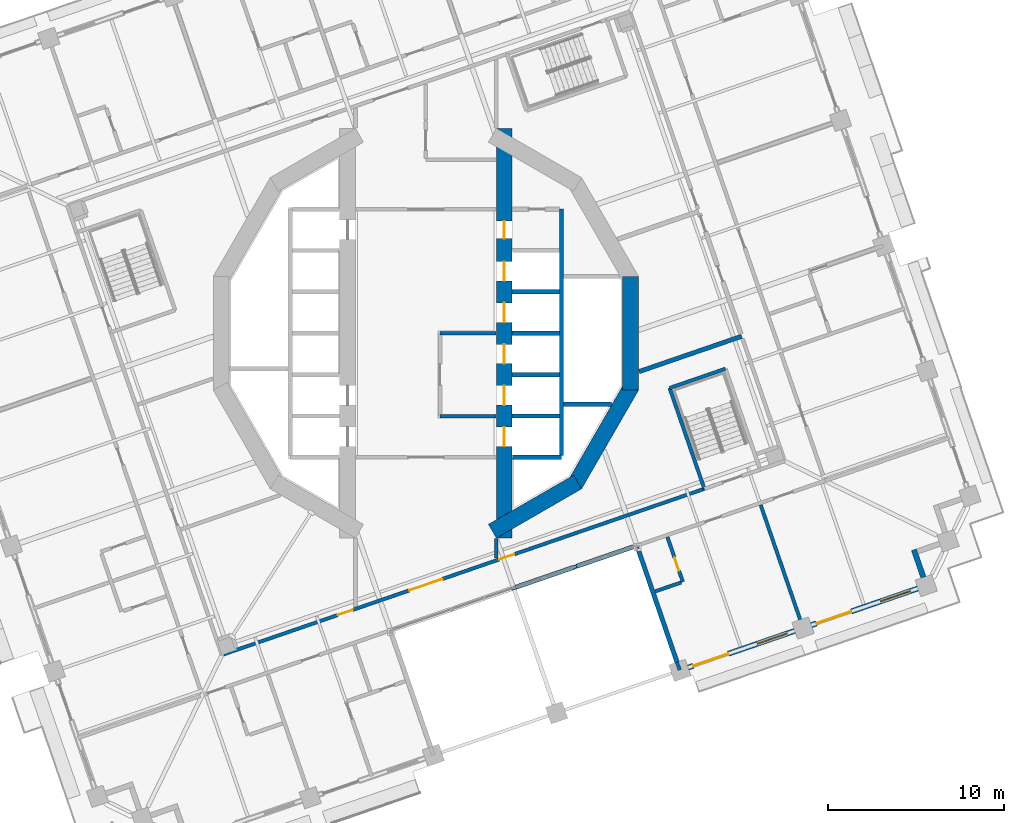
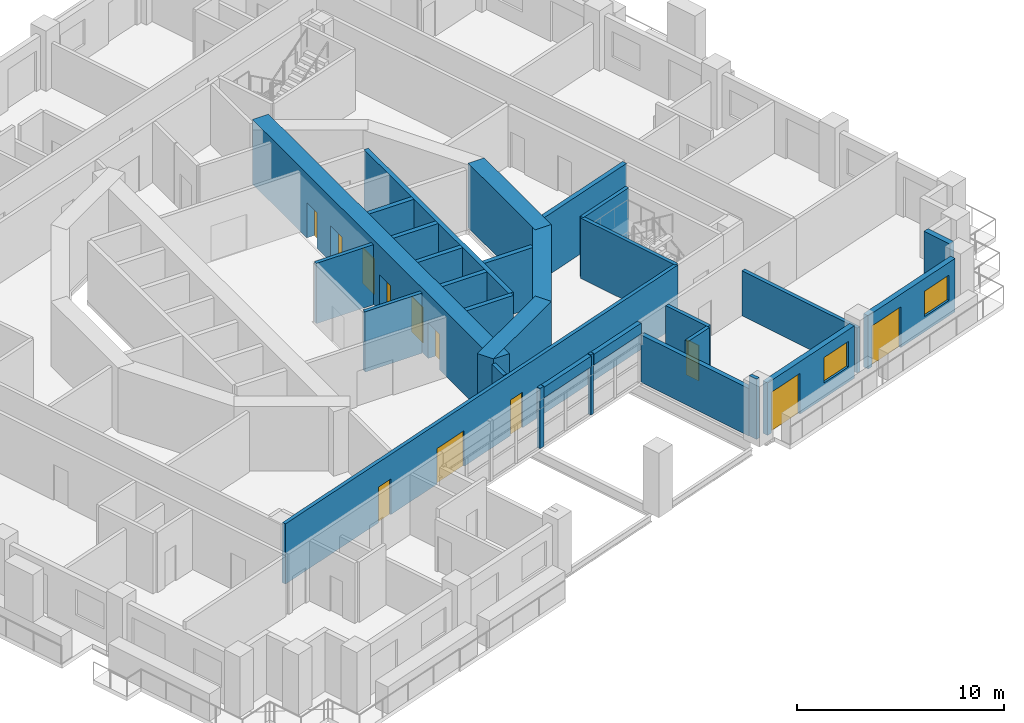
# One storey, part 10 of 22: 30 walls, 12 doors, 2 windows, 14 openings.
"""IFC4 building model written with IfcOpenShell, lengths in metres."""

import ifcopenshell
import ifcopenshell.guid

model = None  # the IFC model being written
_history = None  # IfcOwnerHistory: only IFC2X3 demands one
_inside = {}  # id of a spatial element -> (the spatial element, [elements in it])
_under = {}  # id of a project, library or spatial element -> (it, [spatial elements below it])
_declared = {}  # id of a project -> (the project, [libraries it declares])
_typed = {}  # id of a type object -> (the type object, [elements of that type])
_made_of = {}  # id of a material, layer set ... -> (it, [elements and type objects made of it])


def new_model(schema):
    """Start an empty IFC model of exactly this schema.

    Asked for "IFC4X3", IfcOpenShell would pick the latest addendum, in which some entities
    have other attributes; the version numbers below select the first issue.
    IFC2X3 requires an IfcOwnerHistory on every rooted entity: one is made here for all.
    """
    global model, _history
    if schema == "IFC4X3":
        model = ifcopenshell.file(schema_version=(4, 3, 0, 0))
    else:
        model = ifcopenshell.file(schema=schema)
    _inside.clear()
    _under.clear()
    _declared.clear()
    _typed.clear()
    _made_of.clear()
    _history = None
    if model.schema == "IFC2X3":
        org = make("IfcOrganization", Name="unknown")
        user = make(
            "IfcPersonAndOrganization",
            ThePerson=make("IfcPerson", FamilyName="unknown"),
            TheOrganization=org,
        )
        app = make(
            "IfcApplication",
            ApplicationDeveloper=org,
            Version="unknown",
            ApplicationFullName="unknown",
            ApplicationIdentifier="unknown",
        )
        _history = make(
            "IfcOwnerHistory",
            OwningUser=user,
            OwningApplication=app,
            ChangeAction="ADDED",
            CreationDate=0,
        )
    return model


def make(cls, **values):
    """One entity of the class cls with the attributes given. An attribute that is None is left unset."""
    return model.create_entity(
        cls, **{name: value for name, value in values.items() if value is not None}
    )


def rooted(cls, **values):
    """An entity with a GlobalId (a new one), such as an element, a storey or a relation."""
    return make(cls, GlobalId=ifcopenshell.guid.new(), OwnerHistory=_history, **values)


def si_unit(unit_type, name, prefix=None):
    """IfcSIUnit, for example si_unit("LENGTHUNIT", "METRE", prefix="MILLI")."""
    return make("IfcSIUnit", UnitType=unit_type, Prefix=prefix, Name=name)


def assignment(units):
    """IfcUnitAssignment: the units of a project."""
    return None if units is None else make("IfcUnitAssignment", Units=units)


def point(xyz):
    """IfcCartesianPoint."""
    return None if xyz is None else make("IfcCartesianPoint", Coordinates=xyz)


def direction(xyz):
    """IfcDirection."""
    return None if xyz is None else make("IfcDirection", DirectionRatios=xyz)


def frame(location, z_axis=None, x_axis=None):
    """IfcAxis2Placement3D, a coordinate frame: its origin and axes. An axis left out is left unset."""
    return make(
        "IfcAxis2Placement3D",
        Location=point(location),
        Axis=direction(z_axis),
        RefDirection=direction(x_axis),
    )


def frame_2d(location, x_axis=None):
    """IfcAxis2Placement2D, a coordinate frame in the plane: its origin and x axis."""
    return make(
        "IfcAxis2Placement2D", Location=point(location), RefDirection=direction(x_axis)
    )


def origin():
    """The frame at (0, 0, 0) with its axes left unset."""
    return frame((0.0, 0.0, 0.0))


def place(relative_to, where):
    """IfcLocalPlacement: puts the frame where relative to a parent placement (None: the world)."""
    return make(
        "IfcLocalPlacement", PlacementRelTo=relative_to, RelativePlacement=where
    )


def context(
    kind, dimensions, precision=None, world=None, true_north=None, identifier=None
):
    """IfcGeometricRepresentationContext, for example the 3D "Model" context."""
    return make(
        "IfcGeometricRepresentationContext",
        ContextIdentifier=identifier,
        ContextType=kind,
        CoordinateSpaceDimension=dimensions,
        Precision=precision,
        WorldCoordinateSystem=world,
        TrueNorth=true_north,
    )


def subcontext(parent, identifier, kind, view, scale=None):
    """IfcGeometricRepresentationSubContext, for example "Body" below "Model"."""
    return make(
        "IfcGeometricRepresentationSubContext",
        ContextIdentifier=identifier,
        ContextType=kind,
        ParentContext=parent,
        TargetScale=scale,
        TargetView=view,
    )


def project(units=None, contexts=None):
    """IfcProject with its units and contexts."""
    return rooted(
        "IfcProject",
        Name="project",
        RepresentationContexts=contexts,
        UnitsInContext=assignment(units),
    )


def spatial(cls, under=None, at=None, **own):
    """A site, building, storey or space (cls), placed at a placement, below another one or the project."""
    s = rooted(cls, ObjectPlacement=at, **own)
    if under is not None:
        _under.setdefault(under.id(), (under, []))[1].append(s)
    return s


def profile(cls, at=None, kind="AREA", **sizes):
    """A parametric profile (cls). Its sizes go by their IFC names, for example OverallWidth=200.0."""
    return make(cls, ProfileType=kind, Position=at, **sizes)


def rectangle(**sizes):
    """IfcRectangleProfileDef."""
    return profile("IfcRectangleProfileDef", **sizes)


def extrude(swept, where, along, depth):
    """IfcExtrudedAreaSolid: the profile swept, set in the frame where, extruded along a direction by depth."""
    return make(
        "IfcExtrudedAreaSolid",
        SweptArea=swept,
        Position=where,
        ExtrudedDirection=direction(along),
        Depth=depth,
    )


def shape(context_of_items, identifier, shape_type, items):
    """IfcShapeRepresentation: the items that make up one representation, for example the "Body"."""
    return make(
        "IfcShapeRepresentation",
        ContextOfItems=context_of_items,
        RepresentationIdentifier=identifier,
        RepresentationType=shape_type,
        Items=items,
    )


def material(Name=None, Category=None):
    """IfcMaterial."""
    return make("IfcMaterial", Name=Name, Category=Category)


def layer(
    of_material, thickness, ventilated=None, Name=None, Category=None, Priority=None
):
    """IfcMaterialLayer: one layer of a wall or slab, of a material (None: an air gap)."""
    return make(
        "IfcMaterialLayer",
        Material=of_material,
        LayerThickness=thickness,
        IsVentilated=ventilated,
        Name=Name,
        Category=Category,
        Priority=Priority,
    )


def layer_set(layers, Name=None):
    """IfcMaterialLayerSet."""
    return make("IfcMaterialLayerSet", MaterialLayers=layers, LayerSetName=Name)


def made_of(thing, what):
    """Note that an element or type object is made of a material, layer set ...; save() writes the relation."""
    if what is not None:
        _made_of.setdefault(what.id(), (what, []))[1].append(thing)
    return thing


def type_object(cls, material=None, **own):
    """A type object (cls), such as IfcWallType, which elements share."""
    return made_of(rooted(cls, **own), material)


def element(
    cls,
    number,
    at=None,
    inside=None,
    cuts=None,
    type_object=None,
    material=None,
    context=None,
    identifier="Body",
    shape_type=None,
    held_by="IfcProductDefinitionShape",
    body=None,
    shapes=None,
    **own,
):
    """One element of the class cls, such as IfcWall. Its Tag is "e" and its number.

    at: its placement. inside: the storey or other place that contains it. cuts: it is an
    opening in that element (IfcRelVoidsElement). A single representation is given by context,
    identifier, shape_type and body (its items); several are given by shapes. held_by: the class
    of the entity that holds the representations. save() writes the other relations.
    """
    e = rooted(cls, Tag="e%d" % number, ObjectPlacement=at, **own)
    if body is not None:
        shapes = [shape(context, identifier, shape_type, body)]
    if shapes is not None:
        e.Representation = make(held_by, Representations=shapes)
    if inside is not None:
        _inside.setdefault(inside.id(), (inside, []))[1].append(e)
    if cuts is not None:
        rooted(
            "IfcRelVoidsElement", RelatingBuildingElement=cuts, RelatedOpeningElement=e
        )
    if type_object is not None:
        _typed.setdefault(type_object.id(), (type_object, []))[1].append(e)
    return made_of(e, material)


def fill(opening, filler):
    """IfcRelFillsElement: the door or window that sits in an opening."""
    return rooted(
        "IfcRelFillsElement",
        RelatingOpeningElement=opening,
        RelatedBuildingElement=filler,
    )


def aggregate(whole, parts):
    """IfcRelAggregates: a whole, such as a stair, and the parts it consists of."""
    return rooted("IfcRelAggregates", RelatingObject=whole, RelatedObjects=parts)


def save(model, path):
    """Write the relations noted so far, then the file.

    IfcRelAggregates (storeys below a building ...), IfcRelContainedInSpatialStructure (elements
    in a storey), IfcRelDefinesByType, IfcRelAssociatesMaterial and IfcRelDeclares: one each for
    every whole, place, type object, material and project.
    """
    for whole, parts in _under.values():
        aggregate(whole, parts)
    for where, things in _inside.values():
        rooted(
            "IfcRelContainedInSpatialStructure",
            RelatedElements=things,
            RelatingStructure=where,
        )
    for kind, things in _typed.values():
        rooted("IfcRelDefinesByType", RelatedObjects=things, RelatingType=kind)
    for what, things in _made_of.values():
        rooted("IfcRelAssociatesMaterial", RelatedObjects=things, RelatingMaterial=what)
    for by, libraries in _declared.values():
        rooted("IfcRelDeclares", RelatingContext=by, RelatedDefinitions=libraries)
    model.write(path)


model = new_model("IFC4")

# Units and contexts
model_context = context("Model", 3, precision=1e-05, world=origin(), true_north=direction((0.0, 1.0)))
body_context = subcontext(model_context, "Body", "Model", "MODEL_VIEW")
ifc_project = project(units=[si_unit("LENGTHUNIT", "METRE"), si_unit("AREAUNIT", "SQUARE_METRE"), si_unit("VOLUMEUNIT", "CUBIC_METRE"), si_unit("PLANEANGLEUNIT", "RADIAN"), si_unit("MASSUNIT", "GRAM", prefix="KILO")], contexts=[model_context])

# Site, building, storey
site_placement = place(None, origin())
site = spatial("IfcSite", under=ifc_project, at=site_placement, CompositionType="ELEMENT")
building_placement = place(site_placement, origin())
building = spatial("IfcBuilding", under=site, at=building_placement, Name="Cantera Rosa Tower", CompositionType="ELEMENT")
storey_placement = place(building_placement, frame((0.0, 0.0, 107.89990234375)))
storey = spatial("IfcBuildingStorey", under=building, at=storey_placement, Name="L21", CompositionType="ELEMENT", Elevation=107.89990234375)

# Walls
ifc_material_1 = material(Name="Gypsum board partition")
ifc_layer_1 = layer(ifc_material_1, 0.199951171875)
ifc_layer_set_1 = layer_set([ifc_layer_1], Name="CORRIDOR WALL 200 H3550")
wall_type_1 = type_object("IfcWallType", Name="CORRIDOR WALL 200 H3550", PredefinedType="PARTITIONING", material=ifc_layer_set_1)
wall_1_placement = place(storey_placement, frame((4.8544921875, -14.510009765625, 0.0), z_axis=(0.0, 0.0, 1.0), x_axis=(0.945634074283, 0.325232528438, 0.0)))
element("IfcWall", 1, at=wall_1_placement, inside=storey, type_object=wall_type_1, Name="CORRIDOR WALL L21-022", PredefinedType="PARTITIONING", context=body_context, shape_type="SweptSolid", body=[
    extrude(rectangle(XDim=0.26806640625, YDim=0.199951171875, at=frame_2d((0.134033203125, 0.0))), origin(), (0.0, 0.0, 1.0), 3.550048828125),
])
wall_2_placement = place(storey_placement, frame((8.387939453125, -13.29345703125, 0.0), z_axis=(0.0, 0.0, 1.0), x_axis=(0.945359603561, 0.326029477127, 0.0)))
element("IfcWall", 2, at=wall_2_placement, inside=storey, type_object=wall_type_1, Name="CORRIDOR WALL L21-023", PredefinedType="PARTITIONING", context=body_context, shape_type="SweptSolid", body=[
    extrude(rectangle(XDim=0.19384765625, YDim=0.199951171875, at=frame_2d((0.096923828125, 0.0))), origin(), (0.0, 0.0, 1.0), 3.550048828125),
])

# Wall, openings, doors
wall_3_placement = place(storey_placement, frame((-11.489501953125, -18.23388671875, 0.0), z_axis=(0.0, 0.0, 1.0), x_axis=(0.945519622926, 0.325565112782, 0.0)))
wall_3 = element("IfcWall", 3, at=wall_3_placement, inside=storey, type_object=wall_type_1, Name="CORRIDOR WALL L21-027", PredefinedType="PARTITIONING", context=body_context, shape_type="SweptSolid", body=[
    extrude(rectangle(XDim=28.873291015625, YDim=0.199951171875, at=frame_2d((14.4365234375, 0.0))), origin(), (0.0, 0.0, 1.0), 3.550048828125),
])
opening_1_placement = place(wall_3_placement, frame((6.850830078125, 0.0, 0.0)))
opening_1 = element("IfcOpeningElement", 4, at=opening_1_placement, cuts=wall_3, Name="Opening L21-007", PredefinedType="OPENING", context=body_context, shape_type="SweptSolid", body=[
    extrude(rectangle(XDim=0.89990234375, YDim=2.10009765625, at=frame_2d((0.449951171875, 1.050048828125))), frame((0.0, 0.10986328125, 0.0), z_axis=(0.0, -1.0, 0.0), x_axis=(1.0, 0.0, 0.0)), (0.0, 0.0, 1.0), 0.219970703125),
])
opening_2_placement = place(wall_3_placement, frame((16.556640625, 0.0, 0.0)))
opening_2 = element("IfcOpeningElement", 5, at=opening_2_placement, cuts=wall_3, Name="Opening L21-008", PredefinedType="OPENING", context=body_context, shape_type="SweptSolid", body=[
    extrude(rectangle(XDim=0.89990234375, YDim=2.10009765625, at=frame_2d((0.449951171875, 1.050048828125))), frame((0.0, 0.10986328125, 0.0), z_axis=(0.0, -1.0, 0.0), x_axis=(1.0, 0.0, 0.0)), (0.0, 0.0, 1.0), 0.219970703125),
])
opening_3_placement = place(wall_3_placement, frame((11.151611328125, 0.0, 0.0)))
opening_3 = element("IfcOpeningElement", 6, at=opening_3_placement, cuts=wall_3, Name="Opening L21-012", PredefinedType="OPENING", context=body_context, shape_type="SweptSolid", body=[
    extrude(rectangle(XDim=2.0, YDim=2.10009765625, at=frame_2d((1.0, 1.050048828125))), frame((0.0, 0.10986328125, 0.0), z_axis=(0.0, -1.0, 0.0), x_axis=(1.0, 0.0, 0.0)), (0.0, 0.0, 1.0), 0.219970703125),
])
ifc_material_2 = material(Name="Steel S355J2 (EN 10025-2)", Category="steel")
door_type_1 = type_object("IfcDoorType", Name="LOBBY SCREEN DOOR 2000x2100", OperationType="NOTDEFINED", PredefinedType="DOOR", material=ifc_material_2)
door_1_placement = place(opening_3_placement, origin())
door_1 = element("IfcDoor", 7, at=door_1_placement, inside=storey, type_object=door_type_1, Name="DOOR L21-012", OperationType="NOTDEFINED", OverallHeight=2.10009765625, OverallWidth=2.0, PredefinedType="DOOR", context=body_context, shape_type="SweptSolid", body=[
    extrude(rectangle(XDim=2.0, YDim=2.10009765625, at=frame_2d((1.0, 1.050048828125))), frame((0.0, 0.02490234375, 0.0), z_axis=(0.0, -1.0, 0.0), x_axis=(1.0, 0.0, 0.0)), (0.0, 0.0, 1.0), 0.050048828125),
])
fill(opening_3, door_1)
ifc_material_3 = material(Name="Timber door leaf", Category="wood")
door_type_2 = type_object("IfcDoorType", Name="SERVICE DOOR 900x2100", OperationType="NOTDEFINED", PredefinedType="DOOR", material=ifc_material_3)
door_2_placement = place(opening_1_placement, origin())
door_2 = element("IfcDoor", 8, at=door_2_placement, inside=storey, type_object=door_type_2, Name="DOOR L21-007", OperationType="NOTDEFINED", OverallHeight=2.10009765625, OverallWidth=0.89990234375, PredefinedType="DOOR", context=body_context, shape_type="SweptSolid", body=[
    extrude(rectangle(XDim=0.89990234375, YDim=2.10009765625, at=frame_2d((0.449951171875, 1.050048828125))), frame((0.0, 0.02490234375, 0.0), z_axis=(0.0, -1.0, 0.0), x_axis=(1.0, 0.0, 0.0)), (0.0, 0.0, 1.0), 0.050048828125),
])
fill(opening_1, door_2)
door_3_placement = place(opening_2_placement, origin())
door_3 = element("IfcDoor", 9, at=door_3_placement, inside=storey, type_object=door_type_2, Name="DOOR L21-008", OperationType="NOTDEFINED", OverallHeight=2.10009765625, OverallWidth=0.89990234375, PredefinedType="DOOR", context=body_context, shape_type="SweptSolid", body=[
    extrude(rectangle(XDim=0.89990234375, YDim=2.10009765625, at=frame_2d((0.449951171875, 1.050048828125))), frame((0.0, 0.02490234375, 0.0), z_axis=(0.0, -1.0, 0.0), x_axis=(1.0, 0.0, 0.0)), (0.0, 0.0, 1.0), 0.050048828125),
])
fill(opening_2, door_3)

# Walls
wall_4_placement = place(storey_placement, frame((4.0, -12.760498046875, 0.0), z_axis=(0.0, 0.0, 1.0), x_axis=(0.0, 1.0, 0.0)))
element("IfcWall", 10, at=wall_4_placement, inside=storey, type_object=wall_type_1, Name="CORRIDOR WALL L21-064", PredefinedType="PARTITIONING", context=body_context, shape_type="SweptSolid", body=[
    extrude(rectangle(XDim=1.09326171875, YDim=0.199951171875, at=frame_2d((0.546630859375, 0.0))), origin(), (0.0, 0.0, 1.0), 3.550048828125),
])
ifc_material_4 = material(Name="Hollow clay masonry with cantera stone cladding", Category="masonry")
ifc_layer_2 = layer(ifc_material_4, 0.300048828125)
ifc_layer_set_2 = layer_set([ifc_layer_2], Name="EW-LOGGIA 300")
wall_type_2 = type_object("IfcWallType", Name="EW-LOGGIA 300", PredefinedType="SOLIDWALL", material=ifc_layer_set_2)
wall_5_placement = place(storey_placement, frame((28.250732421875, -13.857421875, 0.0), z_axis=(0.0, 0.0, 1.0), x_axis=(-0.325666906351, 0.945484566827, 0.0)))
element("IfcWall", 11, at=wall_5_placement, inside=storey, type_object=wall_type_2, Name="EN-L21-W29a", PredefinedType="SOLIDWALL", context=body_context, shape_type="SweptSolid", body=[
    extrude(rectangle(XDim=1.64990234375, YDim=0.300048828125, at=frame_2d((0.824951171875, 0.0))), origin(), (0.0, 0.0, 1.0), 3.5),
])

# Wall, openings, window, door
ifc_material_5 = material(Name="Hollow clay masonry with cantera stone cladding", Category="masonry")
ifc_layer_3 = layer(ifc_material_5, 0.300048828125)
ifc_layer_set_3 = layer_set([ifc_layer_3], Name="EW-LOGGIA 300 H3090")
wall_type_3 = type_object("IfcWallType", Name="EW-LOGGIA 300 H3090", PredefinedType="SOLIDWALL", material=ifc_layer_set_3)
wall_6_placement = place(storey_placement, frame((14.892578125, -18.98583984375, 0.0), z_axis=(0.0, 0.0, 1.0), x_axis=(0.945512753621, 0.325585062219, 0.0)))
wall_6 = element("IfcWall", 12, at=wall_6_placement, inside=storey, type_object=wall_type_3, Name="EN-L21-W27", PredefinedType="SOLIDWALL", context=body_context, shape_type="SweptSolid", body=[
    extrude(rectangle(XDim=6.39990234375, YDim=0.300048828125, at=frame_2d((3.199951171875, 0.0))), origin(), (0.0, 0.0, 1.0), 3.090087890625),
])
opening_4_placement = place(wall_6_placement, frame((0.300048828125, 0.0, 0.0)))
opening_4 = element("IfcOpeningElement", 13, at=opening_4_placement, cuts=wall_6, Name="Opening L21-TD37", PredefinedType="OPENING", context=body_context, shape_type="SweptSolid", body=[
    extrude(rectangle(XDim=2.10009765625, YDim=2.39990234375, at=frame_2d((1.050048828125, 1.199951171875))), frame((0.0, 0.159912109375, 0.0), z_axis=(0.0, -1.0, 0.0), x_axis=(1.0, 0.0, 0.0)), (0.0, 0.0, 1.0), 0.320068359375),
])
opening_5_placement = place(wall_6_placement, frame((4.14990234375, 0.0, 0.89990234375)))
opening_5 = element("IfcOpeningElement", 14, at=opening_5_placement, cuts=wall_6, Name="Opening L21-W38", PredefinedType="OPENING", context=body_context, shape_type="SweptSolid", body=[
    extrude(rectangle(XDim=1.800048828125, YDim=1.5, at=frame_2d((0.89990234375, 0.75))), frame((0.0, 0.159912109375, 0.0), z_axis=(0.0, -1.0, 0.0), x_axis=(1.0, 0.0, 0.0)), (0.0, 0.0, 1.0), 0.320068359375),
])
ifc_material_6 = material(Name="Aluminium frame with clear glass", Category="aluminium")
window_type = type_object("IfcWindowType", Name="Hotel room window 1800x1500", PartitioningType="DOUBLE_PANEL_VERTICAL", PredefinedType="WINDOW", material=ifc_material_6)
window_1_placement = place(opening_5_placement, origin())
window_1 = element("IfcWindow", 15, at=window_1_placement, inside=storey, type_object=window_type, Name="WINDOW L21-W38", OverallHeight=1.5, OverallWidth=1.800048828125, PartitioningType="SINGLE_PANEL", PredefinedType="WINDOW", context=body_context, shape_type="SweptSolid", body=[
    extrude(rectangle(XDim=1.800048828125, YDim=1.5, at=frame_2d((0.89990234375, 0.75))), frame((0.0, 0.030029296875, 0.0), z_axis=(0.0, -1.0, 0.0), x_axis=(1.0, 0.0, 0.0)), (0.0, 0.0, 1.0), 0.06005859375),
])
fill(opening_5, window_1)
ifc_material_7 = material(Name="Aluminium frame with clear glass", Category="aluminium")
door_type_3 = type_object("IfcDoorType", Name="TD-H 2100x2400", OperationType="NOTDEFINED", PredefinedType="DOOR", material=ifc_material_7)
door_4_placement = place(opening_4_placement, origin())
door_4 = element("IfcDoor", 16, at=door_4_placement, inside=storey, type_object=door_type_3, Name="LOGGIA DOOR L21-TD37", OperationType="SLIDING_TO_LEFT", OverallHeight=2.39990234375, OverallWidth=2.10009765625, PredefinedType="DOOR", context=body_context, shape_type="SweptSolid", body=[
    extrude(rectangle(XDim=2.10009765625, YDim=2.39990234375, at=frame_2d((1.050048828125, 1.199951171875))), frame((0.0, 0.02490234375, 0.0), z_axis=(0.0, -1.0, 0.0), x_axis=(1.0, 0.0, 0.0)), (0.0, 0.0, 1.0), 0.050048828125),
])
fill(opening_4, door_4)

ifc_material_8 = material(Name="Hollow clay masonry with cantera stone cladding", Category="masonry")
ifc_layer_4 = layer(ifc_material_8, 0.300048828125)
ifc_layer_set_4 = layer_set([ifc_layer_4], Name="EW-LOGGIA 300 H3140")
wall_type_4 = type_object("IfcWallType", Name="EW-LOGGIA 300 H3140", PredefinedType="SOLIDWALL", material=ifc_layer_set_4)
wall_7_placement = place(storey_placement, frame((21.889404296875, -16.57666015625, 0.0), z_axis=(0.0, 0.0, 1.0), x_axis=(0.945512753621, 0.325585062219, 0.0)))
wall_7 = element("IfcWall", 17, at=wall_7_placement, inside=storey, type_object=wall_type_4, Name="EN-L21-W28", PredefinedType="SOLIDWALL", context=body_context, shape_type="SweptSolid", body=[
    extrude(rectangle(XDim=6.39990234375, YDim=0.300048828125, at=frame_2d((3.199951171875, 0.0))), origin(), (0.0, 0.0, 1.0), 3.14013671875),
])
opening_6_placement = place(wall_7_placement, frame((0.300048828125, 0.0, 0.0)))
opening_6 = element("IfcOpeningElement", 18, at=opening_6_placement, cuts=wall_7, Name="Opening L21-TD39", PredefinedType="OPENING", context=body_context, shape_type="SweptSolid", body=[
    extrude(rectangle(XDim=2.10009765625, YDim=2.39990234375, at=frame_2d((1.050048828125, 1.199951171875))), frame((0.0, 0.159912109375, 0.0), z_axis=(0.0, -1.0, 0.0), x_axis=(1.0, 0.0, 0.0)), (0.0, 0.0, 1.0), 0.320068359375),
])
opening_7_placement = place(wall_7_placement, frame((4.14990234375, 0.0, 0.89990234375)))
opening_7 = element("IfcOpeningElement", 19, at=opening_7_placement, cuts=wall_7, Name="Opening L21-W40", PredefinedType="OPENING", context=body_context, shape_type="SweptSolid", body=[
    extrude(rectangle(XDim=1.800048828125, YDim=1.5, at=frame_2d((0.89990234375, 0.75))), frame((0.0, 0.159912109375, 0.0), z_axis=(0.0, -1.0, 0.0), x_axis=(1.0, 0.0, 0.0)), (0.0, 0.0, 1.0), 0.320068359375),
])
window_2_placement = place(opening_7_placement, origin())
window_2 = element("IfcWindow", 20, at=window_2_placement, inside=storey, type_object=window_type, Name="WINDOW L21-W40", OverallHeight=1.5, OverallWidth=1.800048828125, PartitioningType="SINGLE_PANEL", PredefinedType="WINDOW", context=body_context, shape_type="SweptSolid", body=[
    extrude(rectangle(XDim=1.800048828125, YDim=1.5, at=frame_2d((0.89990234375, 0.75))), frame((0.0, 0.030029296875, 0.0), z_axis=(0.0, -1.0, 0.0), x_axis=(1.0, 0.0, 0.0)), (0.0, 0.0, 1.0), 0.06005859375),
])
fill(opening_7, window_2)
door_5_placement = place(opening_6_placement, origin())
door_5 = element("IfcDoor", 21, at=door_5_placement, inside=storey, type_object=door_type_3, Name="LOGGIA DOOR L21-TD39", OperationType="SLIDING_TO_LEFT", OverallHeight=2.39990234375, OverallWidth=2.10009765625, PredefinedType="DOOR", context=body_context, shape_type="SweptSolid", body=[
    extrude(rectangle(XDim=2.10009765625, YDim=2.39990234375, at=frame_2d((1.050048828125, 1.199951171875))), frame((0.0, 0.02490234375, 0.0), z_axis=(0.0, -1.0, 0.0), x_axis=(1.0, 0.0, 0.0)), (0.0, 0.0, 1.0), 0.050048828125),
])
fill(opening_6, door_5)

# Walls
ifc_material_9 = material(Name="Concrete C40/50", Category="concrete")
ifc_layer_5 = layer(ifc_material_9, 0.25)
ifc_layer_set_5 = layer_set([ifc_layer_5], Name="EW-POCKET CHEEK 250 H2795")
wall_type_5 = type_object("IfcWallType", Name="EW-POCKET CHEEK 250 H2795", PredefinedType="SOLIDWALL", material=ifc_layer_set_5)
wall_8_placement = place(storey_placement, frame((14.257080078125, -18.67578125, 0.0), z_axis=(0.0, 0.0, 1.0), x_axis=(-0.325595912607, 0.945509017246, 0.0)))
element("IfcWall", 22, at=wall_8_placement, inside=storey, type_object=wall_type_5, Name="POCKET CHEEK B L21", PredefinedType="SOLIDWALL", context=body_context, shape_type="SweptSolid", body=[
    extrude(rectangle(XDim=6.89990234375, YDim=0.25, at=frame_2d((3.449951171875, 0.0))), origin(), (0.0, 0.0, 1.0), 2.795166015625),
])
ifc_material_10 = material(Name="Hollow clay masonry with cantera stone cladding", Category="masonry")
ifc_layer_6 = layer(ifc_material_10, 0.25)
ifc_layer_set_6 = layer_set([ifc_layer_6], Name="EW-POCKET REAR 250")
wall_type_6 = type_object("IfcWallType", Name="EW-POCKET REAR 250", PredefinedType="SOLIDWALL", material=ifc_layer_set_6)
wall_9_placement = place(storey_placement, frame((5.10791015625, -14.4228515625, 2.8681640625), z_axis=(0.0, 0.0, 1.0), x_axis=(0.94551947433, 0.325565544343, 0.0)))
element("IfcWall", 23, at=wall_9_placement, inside=storey, type_object=wall_type_6, Name="POCKET SPANDREL L21-3", PredefinedType="SOLIDWALL", context=body_context, shape_type="SweptSolid", body=[
    extrude(rectangle(XDim=3.468994140625, YDim=0.25, at=frame_2d((1.734375, 0.0))), origin(), (0.0, 0.0, 1.0), 0.6318359375),
])
wall_10_placement = place(storey_placement, frame((8.5712890625, -13.230224609375, 2.8681640625), z_axis=(0.0, 0.0, 1.0), x_axis=(0.945520584071, 0.325562321375, 0.0)))
element("IfcWall", 24, at=wall_10_placement, inside=storey, type_object=wall_type_6, Name="POCKET SPANDREL L21-4", PredefinedType="SOLIDWALL", context=body_context, shape_type="SweptSolid", body=[
    extrude(rectangle(XDim=3.47802734375, YDim=0.25, at=frame_2d((1.739013671875, 0.0))), origin(), (0.0, 0.0, 1.0), 0.6318359375),
])

# Wall, opening, door
ifc_material_11 = material(Name="Gypsum board partition")
ifc_layer_7 = layer(ifc_material_11, 0.199951171875)
ifc_layer_set_7 = layer_set([ifc_layer_7], Name="PARTITION 200 H3550")
wall_type_7 = type_object("IfcWallType", Name="PARTITION 200 H3550", PredefinedType="PARTITIONING", material=ifc_layer_set_7)
wall_11_placement = place(storey_placement, frame((13.71240234375, -11.56591796875, 0.0), z_axis=(0.0, 0.0, 1.0), x_axis=(0.325625589912, -0.945498797035, 0.0)))
wall_11 = element("IfcWall", 25, at=wall_11_placement, inside=storey, type_object=wall_type_7, Name="PARTITION L21-092", PredefinedType="PARTITIONING", context=body_context, shape_type="SweptSolid", body=[
    extrude(rectangle(XDim=2.699951171875, YDim=0.199951171875, at=frame_2d((1.35009765625, 0.0))), origin(), (0.0, 0.0, 1.0), 3.550048828125),
])
opening_8_placement = place(wall_11_placement, frame((1.236083984375, 0.0, 0.0)))
opening_8 = element("IfcOpeningElement", 26, at=opening_8_placement, cuts=wall_11, Name="Opening L21-045", PredefinedType="OPENING", context=body_context, shape_type="SweptSolid", body=[
    extrude(rectangle(XDim=0.800048828125, YDim=2.10009765625, at=frame_2d((0.39990234375, 1.050048828125))), frame((0.0, 0.10986328125, 0.0), z_axis=(0.0, -1.0, 0.0), x_axis=(1.0, 0.0, 0.0)), (0.0, 0.0, 1.0), 0.219970703125),
])
ifc_material_12 = material(Name="Timber door leaf", Category="wood")
door_type_4 = type_object("IfcDoorType", Name="BATHROOM DOOR 800x2100", OperationType="NOTDEFINED", PredefinedType="DOOR", material=ifc_material_12)
door_6_placement = place(opening_8_placement, origin())
door_6 = element("IfcDoor", 27, at=door_6_placement, inside=storey, type_object=door_type_4, Name="DOOR L21-045", OperationType="NOTDEFINED", OverallHeight=2.10009765625, OverallWidth=0.800048828125, PredefinedType="DOOR", context=body_context, shape_type="SweptSolid", body=[
    extrude(rectangle(XDim=0.800048828125, YDim=2.10009765625, at=frame_2d((0.39990234375, 1.050048828125))), frame((0.0, 0.02490234375, 0.0), z_axis=(0.0, -1.0, 0.0), x_axis=(1.0, 0.0, 0.0)), (0.0, 0.0, 1.0), 0.050048828125),
])
fill(opening_8, door_6)

# Walls
wall_12_placement = place(storey_placement, frame((14.409912109375, -19.120361328125, 0.0), z_axis=(0.0, 0.0, 1.0), x_axis=(-0.325094282218, 0.945681610094, 0.0)))
element("IfcWall", 28, at=wall_12_placement, inside=storey, type_object=wall_type_7, Name="PARTITION L21-094", PredefinedType="PARTITIONING", context=body_context, shape_type="SweptSolid", body=[
    extrude(rectangle(XDim=0.47021484375, YDim=0.199951171875, at=frame_2d((0.235107421875, 0.0))), origin(), (0.0, 0.0, 1.0), 3.550048828125),
])
wall_13_placement = place(storey_placement, frame((14.4970703125, -14.151123046875, 0.0), z_axis=(0.0, 0.0, 1.0), x_axis=(-0.945517118812, -0.325572385244, 0.0)))
element("IfcWall", 29, at=wall_13_placement, inside=storey, type_object=wall_type_7, Name="PARTITION L21-095", PredefinedType="PARTITIONING", context=body_context, shape_type="SweptSolid", body=[
    extrude(rectangle(XDim=1.56494140625, YDim=0.199951171875, at=frame_2d((0.782470703125, 0.0))), origin(), (0.0, 0.0, 1.0), 3.550048828125),
])
ifc_material_13 = material(Name="Gypsum board partition")
ifc_layer_8 = layer(ifc_material_13, 0.199951171875)
ifc_layer_set_8 = layer_set([ifc_layer_8], Name="PARTY WALL 200 H2650")
wall_type_8 = type_object("IfcWallType", Name="PARTY WALL 200 H2650", PredefinedType="PARTITIONING", material=ifc_layer_set_8)
wall_14_placement = place(storey_placement, frame((19.00732421875, -9.74267578125, 0.0), z_axis=(0.0, 0.0, 1.0), x_axis=(0.325603730276, -0.945506325114, 0.0)))
element("IfcWall", 30, at=wall_14_placement, inside=storey, type_object=wall_type_8, Name="PARTY WALL L21-105", PredefinedType="PARTITIONING", context=body_context, shape_type="SweptSolid", body=[
    extrude(rectangle(XDim=7.369873046875, YDim=0.199951171875, at=frame_2d((3.68505859375, 0.0))), origin(), (0.0, 0.0, 1.0), 2.650146484375),
])
ifc_material_14 = material(Name="Concrete C70/85", Category="concrete")
ifc_layer_9 = layer(ifc_material_14, 0.89990234375)
ifc_layer_set_9 = layer_set([ifc_layer_9], Name="RC CORE WALL 900 C70/85")
wall_type_9 = type_object("IfcWallType", Name="RC CORE WALL 900 C70/85", PredefinedType="SHEAR", material=ifc_layer_set_9)
wall_15_placement = place(storey_placement, frame((11.6240234375, 3.2353515625, 0.0), z_axis=(0.0, 0.0, 1.0), x_axis=(0.0, -1.0, 0.0)))
element("IfcWall", 31, at=wall_15_placement, inside=storey, type_object=wall_type_9, Name="CW-E3 L21", PredefinedType="SHEAR", context=body_context, shape_type="SweptSolid", body=[
    extrude(rectangle(XDim=6.470703125, YDim=0.89990234375, at=frame_2d((3.2353515625, 0.0))), origin(), (0.0, 0.0, 1.0), 3.800048828125),
])
wall_16_placement = place(storey_placement, frame((11.684326171875, -3.01025390625, 0.0), z_axis=(0.0, 0.0, 1.0), x_axis=(-0.499990282633, -0.866031014036, 0.0)))
element("IfcWall", 32, at=wall_16_placement, inside=storey, type_object=wall_type_9, Name="CW-E4 L21", PredefinedType="SHEAR", context=body_context, shape_type="SweptSolid", body=[
    extrude(rectangle(XDim=6.470458984375, YDim=0.89990234375, at=frame_2d((3.2353515625, 0.0))), origin(), (0.0, 0.0, 1.0), 3.800048828125),
])
wall_17_placement = place(storey_placement, frame((8.61376953125, -8.44921875, 0.0), z_axis=(0.0, 0.0, 1.0), x_axis=(-0.866026961591, -0.49999730179, 0.0)))
element("IfcWall", 33, at=wall_17_placement, inside=storey, type_object=wall_type_9, Name="CW-E5 L21", PredefinedType="SHEAR", context=body_context, shape_type="SweptSolid", body=[
    extrude(rectangle(XDim=5.58740234375, YDim=0.89990234375, at=frame_2d((2.793701171875, 0.0))), origin(), (0.0, 0.0, 1.0), 3.800048828125),
])

# Wall, openings, doors
wall_18_placement = place(storey_placement, frame((4.449951171875, -11.632568359375, 0.0), z_axis=(0.0, 0.0, 1.0), x_axis=(0.0, 1.0, 0.0)))
wall_18 = element("IfcWall", 34, at=wall_18_placement, inside=storey, type_object=wall_type_9, Name="CW-E6 L21", PredefinedType="SHEAR", context=body_context, shape_type="SweptSolid", body=[
    extrude(rectangle(XDim=23.26513671875, YDim=0.89990234375, at=frame_2d((11.632568359375, 0.0))), origin(), (0.0, 0.0, 1.0), 3.800048828125),
])
opening_9_placement = place(wall_18_placement, frame((7.5576171875, 0.0, 0.0)))
opening_9 = element("IfcOpeningElement", 35, at=opening_9_placement, cuts=wall_18, Name="Opening LD-FF1-L21", PredefinedType="OPENING", context=body_context, shape_type="SweptSolid", body=[
    extrude(rectangle(XDim=1.10009765625, YDim=2.10009765625, at=frame_2d((0.550048828125, 1.050048828125))), frame((0.0, 0.4599609375, 0.0), z_axis=(0.0, -1.0, 0.0), x_axis=(1.0, 0.0, 0.0)), (0.0, 0.0, 1.0), 0.919921875),
])
opening_10_placement = place(wall_18_placement, frame((9.907470703125, 0.0, 0.0)))
opening_10 = element("IfcOpeningElement", 36, at=opening_10_placement, cuts=wall_18, Name="Opening LD-FF2-L21", PredefinedType="OPENING", context=body_context, shape_type="SweptSolid", body=[
    extrude(rectangle(XDim=1.10009765625, YDim=2.10009765625, at=frame_2d((0.550048828125, 1.050048828125))), frame((0.0, 0.4599609375, 0.0), z_axis=(0.0, -1.0, 0.0), x_axis=(1.0, 0.0, 0.0)), (0.0, 0.0, 1.0), 0.919921875),
])
opening_11_placement = place(wall_18_placement, frame((12.257568359375, 0.0, 0.0)))
opening_11 = element("IfcOpeningElement", 37, at=opening_11_placement, cuts=wall_18, Name="Opening LD-P1-L21", PredefinedType="OPENING", context=body_context, shape_type="SweptSolid", body=[
    extrude(rectangle(XDim=1.10009765625, YDim=2.10009765625, at=frame_2d((0.550048828125, 1.050048828125))), frame((0.0, 0.4599609375, 0.0), z_axis=(0.0, -1.0, 0.0), x_axis=(1.0, 0.0, 0.0)), (0.0, 0.0, 1.0), 0.919921875),
])
opening_12_placement = place(wall_18_placement, frame((14.607421875, 0.0, 0.0)))
opening_12 = element("IfcOpeningElement", 38, at=opening_12_placement, cuts=wall_18, Name="Opening LD-P2-L21", PredefinedType="OPENING", context=body_context, shape_type="SweptSolid", body=[
    extrude(rectangle(XDim=1.10009765625, YDim=2.10009765625, at=frame_2d((0.550048828125, 1.050048828125))), frame((0.0, 0.4599609375, 0.0), z_axis=(0.0, -1.0, 0.0), x_axis=(1.0, 0.0, 0.0)), (0.0, 0.0, 1.0), 0.919921875),
])
opening_13_placement = place(wall_18_placement, frame((5.20751953125, 0.0, 0.0)))
opening_13 = element("IfcOpeningElement", 39, at=opening_13_placement, cuts=wall_18, Name="Opening LD-P6-L21", PredefinedType="OPENING", context=body_context, shape_type="SweptSolid", body=[
    extrude(rectangle(XDim=1.10009765625, YDim=2.10009765625, at=frame_2d((0.550048828125, 1.050048828125))), frame((0.0, 0.4599609375, 0.0), z_axis=(0.0, -1.0, 0.0), x_axis=(1.0, 0.0, 0.0)), (0.0, 0.0, 1.0), 0.919921875),
])
opening_14_placement = place(wall_18_placement, frame((17.007568359375, 0.0, 0.0)))
opening_14 = element("IfcOpeningElement", 40, at=opening_14_placement, cuts=wall_18, Name="Opening SD-L21-16", PredefinedType="OPENING", context=body_context, shape_type="SweptSolid", body=[
    extrude(rectangle(XDim=1.0, YDim=2.10009765625, at=frame_2d((0.5, 1.050048828125))), frame((0.0, 0.4599609375, 0.0), z_axis=(0.0, -1.0, 0.0), x_axis=(1.0, 0.0, 0.0)), (0.0, 0.0, 1.0), 0.919921875),
])
ifc_material_15 = material(Name="Steel S355J2 (EN 10025-2)", Category="steel")
door_type_5 = type_object("IfcDoorType", Name="LANDING DOOR 1100x2100", OperationType="NOTDEFINED", PredefinedType="DOOR", material=ifc_material_15)
door_7_placement = place(opening_9_placement, origin())
door_7 = element("IfcDoor", 41, at=door_7_placement, inside=storey, type_object=door_type_5, Name="LANDING DOOR FF1 L21", OperationType="SLIDING_TO_LEFT", OverallHeight=2.10009765625, OverallWidth=1.10009765625, PredefinedType="DOOR", context=body_context, shape_type="SweptSolid", body=[
    extrude(rectangle(XDim=1.10009765625, YDim=2.10009765625, at=frame_2d((0.550048828125, 1.050048828125))), frame((0.0, 0.02490234375, 0.0), z_axis=(0.0, -1.0, 0.0), x_axis=(1.0, 0.0, 0.0)), (0.0, 0.0, 1.0), 0.050048828125),
])
fill(opening_9, door_7)
door_8_placement = place(opening_10_placement, origin())
door_8 = element("IfcDoor", 42, at=door_8_placement, inside=storey, type_object=door_type_5, Name="LANDING DOOR FF2 L21", OperationType="SLIDING_TO_LEFT", OverallHeight=2.10009765625, OverallWidth=1.10009765625, PredefinedType="DOOR", context=body_context, shape_type="SweptSolid", body=[
    extrude(rectangle(XDim=1.10009765625, YDim=2.10009765625, at=frame_2d((0.550048828125, 1.050048828125))), frame((0.0, 0.02490234375, 0.0), z_axis=(0.0, -1.0, 0.0), x_axis=(1.0, 0.0, 0.0)), (0.0, 0.0, 1.0), 0.050048828125),
])
fill(opening_10, door_8)
door_9_placement = place(opening_11_placement, origin())
door_9 = element("IfcDoor", 43, at=door_9_placement, inside=storey, type_object=door_type_5, Name="LANDING DOOR P1 L21", OperationType="SLIDING_TO_LEFT", OverallHeight=2.10009765625, OverallWidth=1.10009765625, PredefinedType="DOOR", context=body_context, shape_type="SweptSolid", body=[
    extrude(rectangle(XDim=1.10009765625, YDim=2.10009765625, at=frame_2d((0.550048828125, 1.050048828125))), frame((0.0, 0.02490234375, 0.0), z_axis=(0.0, -1.0, 0.0), x_axis=(1.0, 0.0, 0.0)), (0.0, 0.0, 1.0), 0.050048828125),
])
fill(opening_11, door_9)
door_10_placement = place(opening_12_placement, origin())
door_10 = element("IfcDoor", 44, at=door_10_placement, inside=storey, type_object=door_type_5, Name="LANDING DOOR P2 L21", OperationType="SLIDING_TO_LEFT", OverallHeight=2.10009765625, OverallWidth=1.10009765625, PredefinedType="DOOR", context=body_context, shape_type="SweptSolid", body=[
    extrude(rectangle(XDim=1.10009765625, YDim=2.10009765625, at=frame_2d((0.550048828125, 1.050048828125))), frame((0.0, 0.02490234375, 0.0), z_axis=(0.0, -1.0, 0.0), x_axis=(1.0, 0.0, 0.0)), (0.0, 0.0, 1.0), 0.050048828125),
])
fill(opening_12, door_10)
door_11_placement = place(opening_13_placement, origin())
door_11 = element("IfcDoor", 45, at=door_11_placement, inside=storey, type_object=door_type_5, Name="LANDING DOOR P6 L21", OperationType="SLIDING_TO_LEFT", OverallHeight=2.10009765625, OverallWidth=1.10009765625, PredefinedType="DOOR", context=body_context, shape_type="SweptSolid", body=[
    extrude(rectangle(XDim=1.10009765625, YDim=2.10009765625, at=frame_2d((0.550048828125, 1.050048828125))), frame((0.0, 0.02490234375, 0.0), z_axis=(0.0, -1.0, 0.0), x_axis=(1.0, 0.0, 0.0)), (0.0, 0.0, 1.0), 0.050048828125),
])
fill(opening_13, door_11)
ifc_material_16 = material(Name="Timber door leaf", Category="wood")
door_type_6 = type_object("IfcDoorType", Name="SERVICE DOOR 1000x2100", OperationType="NOTDEFINED", PredefinedType="DOOR", material=ifc_material_16)
door_12_placement = place(opening_14_placement, origin())
door_12 = element("IfcDoor", 46, at=door_12_placement, inside=storey, type_object=door_type_6, Name="DOOR L21-SD16", OperationType="NOTDEFINED", OverallHeight=2.10009765625, OverallWidth=1.0, PredefinedType="DOOR", context=body_context, shape_type="SweptSolid", body=[
    extrude(rectangle(XDim=1.0, YDim=2.10009765625, at=frame_2d((0.5, 1.050048828125))), frame((0.0, 0.02490234375, 0.0), z_axis=(0.0, -1.0, 0.0), x_axis=(1.0, 0.0, 0.0)), (0.0, 0.0, 1.0), 0.050048828125),
])
fill(opening_14, door_12)

# Walls
ifc_material_17 = material(Name="Masonry blockwork", Category="masonry")
ifc_layer_10 = layer(ifc_material_17, 0.25)
ifc_layer_set_10 = layer_set([ifc_layer_10], Name="SHAFT WALL 250 H3550")
wall_type_10 = type_object("IfcWallType", Name="SHAFT WALL 250 H3550", PredefinedType="SOLIDWALL", material=ifc_layer_set_10)
for number, where, z_axis, x_axis, name in (
    (47, (4.89990234375, -4.699951171875, 0.0), (0.0, 0.0, 1.0), (1.0, 0.0, 0.0), "SHAFT WALL L21-069"),
    (48, (4.89990234375, 0.0, 0.0), (0.0, 0.0, 1.0), (1.0, 0.0, 0.0), "SHAFT WALL L21-070"),
):
    element("IfcWall", number, at=place(storey_placement, frame(where, z_axis=z_axis, x_axis=x_axis)), inside=storey, type_object=wall_type_10, Name=name, PredefinedType="SOLIDWALL", context=body_context, shape_type="SweptSolid", body=[
        extrude(rectangle(XDim=2.675048828125, YDim=0.25, at=frame_2d((1.33740234375, 0.0))), origin(), (0.0, 0.0, 1.0), 3.550048828125),
    ])
wall_19_placement = place(storey_placement, frame((4.929931640625, -7.050048828125, 0.0), z_axis=(0.0, 0.0, 1.0), x_axis=(1.0, 0.0, 0.0)))
element("IfcWall", 49, at=wall_19_placement, inside=storey, type_object=wall_type_10, Name="SHAFT WALL L21-071", PredefinedType="SOLIDWALL", context=body_context, shape_type="SweptSolid", body=[
    extrude(rectangle(XDim=2.77001953125, YDim=0.25, at=frame_2d((1.385009765625, 0.0))), origin(), (0.0, 0.0, 1.0), 3.550048828125),
])
wall_20_placement = place(storey_placement, frame((7.699951171875, -6.929931640625, 0.0), z_axis=(0.0, 0.0, 1.0), x_axis=(0.0, 1.0, 0.0)))
element("IfcWall", 50, at=wall_20_placement, inside=storey, type_object=wall_type_10, Name="SHAFT WALL L21-076", PredefinedType="SOLIDWALL", context=body_context, shape_type="SweptSolid", body=[
    extrude(rectangle(XDim=13.97998046875, YDim=0.25, at=frame_2d((6.989990234375, 0.0))), origin(), (0.0, 0.0, 1.0), 3.550048828125),
])
wall_21_placement = place(storey_placement, frame((7.824951171875, -4.029541015625, 0.0), z_axis=(0.0, 0.0, 1.0), x_axis=(1.0, 0.0, 0.0)))
element("IfcWall", 51, at=wall_21_placement, inside=storey, type_object=wall_type_10, Name="SHAFT WALL L21-077", PredefinedType="SOLIDWALL", context=body_context, shape_type="SweptSolid", body=[
    extrude(rectangle(XDim=2.716552734375, YDim=0.25, at=frame_2d((1.3583984375, 0.0))), origin(), (0.0, 0.0, 1.0), 3.550048828125),
])
for number, where, z_axis, x_axis, name in (
    (52, (7.574951171875, -2.35009765625, 0.0), (0.0, 0.0, 1.0), (-1.0, 0.0, 0.0), "SHAFT WALL L21-078"),
    (53, (7.574951171875, 2.35009765625, 0.0), (0.0, 0.0, 1.0), (-1.0, 0.0, 0.0), "SHAFT WALL L21-079"),
):
    element("IfcWall", number, at=place(storey_placement, frame(where, z_axis=z_axis, x_axis=x_axis)), inside=storey, type_object=wall_type_10, Name=name, PredefinedType="SOLIDWALL", context=body_context, shape_type="SweptSolid", body=[
        extrude(rectangle(XDim=2.675048828125, YDim=0.25, at=frame_2d((1.33740234375, 0.0))), origin(), (0.0, 0.0, 1.0), 3.550048828125),
    ])
wall_22_placement = place(storey_placement, frame((12.10400390625, -2.177978515625, 0.0), z_axis=(0.0, 0.0, 1.0), x_axis=(0.945512204671, 0.325586656388, 0.0)))
element("IfcWall", 54, at=wall_22_placement, inside=storey, type_object=wall_type_10, Name="SHAFT WALL L21-089", PredefinedType="SOLIDWALL", context=body_context, shape_type="SweptSolid", body=[
    extrude(rectangle(XDim=6.16455078125, YDim=0.25, at=frame_2d((3.082275390625, 0.0))), origin(), (0.0, 0.0, 1.0), 3.550048828125),
])
ifc_material_18 = material(Name="Concrete C50/60", Category="concrete")
ifc_layer_11 = layer(ifc_material_18, 0.199951171875)
ifc_layer_set_11 = layer_set([ifc_layer_11], Name="STAIR WALL 200 H3550")
wall_type_11 = type_object("IfcWallType", Name="STAIR WALL 200 H3550", PredefinedType="SOLIDWALL", material=ifc_layer_set_11)
for number, where, z_axis, x_axis, name in (
    (55, (0.800048828125, 0.0, 0.0), (0.0, 0.0, 1.0), (1.0, 0.0, 0.0), "STAIR WALL L21-060"),
    (56, (3.969970703125, -4.699951171875, 0.0), (0.0, 0.0, 1.0), (-1.0, 0.0, 0.0), "STAIR WALL L21-063"),
):
    element("IfcWall", number, at=place(storey_placement, frame(where, z_axis=z_axis, x_axis=x_axis)), inside=storey, type_object=wall_type_11, Name=name, PredefinedType="SOLIDWALL", context=body_context, shape_type="SweptSolid", body=[
        extrude(rectangle(XDim=3.169921875, YDim=0.199951171875, at=frame_2d((1.5849609375, 0.0))), origin(), (0.0, 0.0, 1.0), 3.550048828125),
    ])
wall_23_placement = place(storey_placement, frame((13.839599609375, -3.10888671875, 0.0), z_axis=(0.0, 0.0, 1.0), x_axis=(0.325563172411, -0.945520291041, 0.0)))
element("IfcWall", 57, at=wall_23_placement, inside=storey, type_object=wall_type_11, Name="STAIR WALL L21-093", PredefinedType="SOLIDWALL", context=body_context, shape_type="SweptSolid", body=[
    extrude(rectangle(XDim=6.0546875, YDim=0.199951171875, at=frame_2d((3.02734375, 0.0))), origin(), (0.0, 0.0, 1.0), 3.550048828125),
])
wall_24_placement = place(storey_placement, frame((17.007080078125, -2.01806640625, 0.0), z_axis=(0.0, 0.0, 1.0), x_axis=(-0.945503015732, -0.325613340087, 0.0)))
element("IfcWall", 58, at=wall_24_placement, inside=storey, type_object=wall_type_11, Name="STAIR WALL L21-102", PredefinedType="SOLIDWALL", context=body_context, shape_type="SweptSolid", body=[
    extrude(rectangle(XDim=3.35009765625, YDim=0.199951171875, at=frame_2d((1.675048828125, 0.0))), origin(), (0.0, 0.0, 1.0), 3.550048828125),
])

save(model, "model.ifc")
